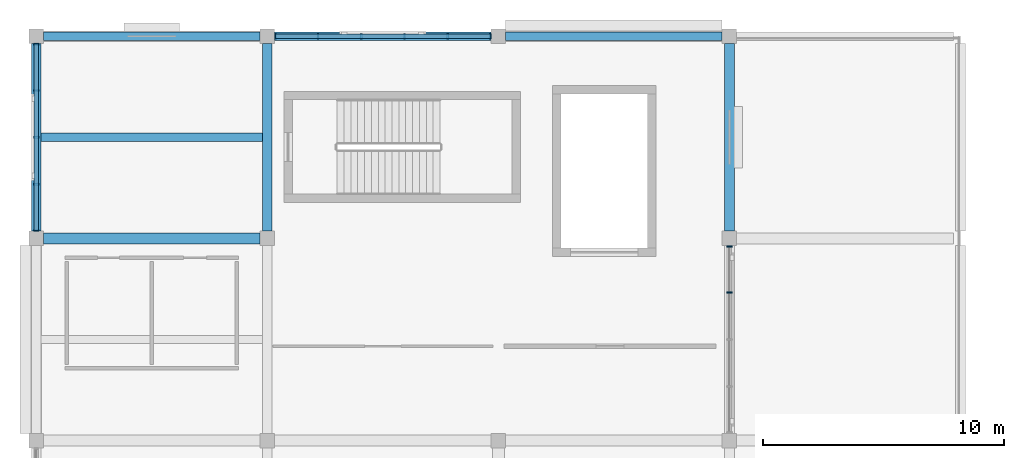
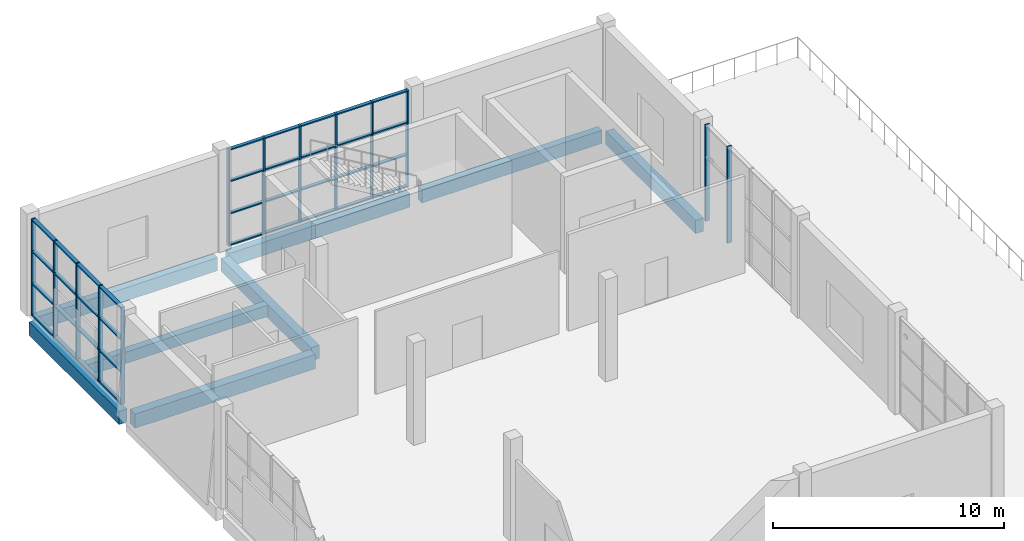
# One storey, part 18 of 72: 21 members, 8 beams, 3 elements without a shape of their own.
"""IFC4 building model written with IfcOpenShell, lengths in metres."""

from ifc_helpers import new_model, si_unit, direction, frame, origin, origin_2d, place, context, subcontext, project, spatial, rectangle, extrude, material, material_profile, profile_set, type_object, element, aggregate, save


model = new_model("IFC4")

# Units and contexts
model_context = context("Model", 3, precision=1e-05, world=origin(), true_north=direction((0.0, 1.0)))
body_context = subcontext(model_context, "Body", "Model", "MODEL_VIEW")
ifc_project = project(units=[si_unit("LENGTHUNIT", "METRE"), si_unit("AREAUNIT", "SQUARE_METRE"), si_unit("VOLUMEUNIT", "CUBIC_METRE"), si_unit("PLANEANGLEUNIT", "RADIAN"), si_unit("MASSUNIT", "GRAM", prefix="KILO")], contexts=[model_context])

# Site, building, storey
site_placement = place(None, origin())
site = spatial("IfcSite", under=ifc_project, at=site_placement, CompositionType="ELEMENT")
building_placement = place(site_placement, origin())
building = spatial("IfcBuilding", under=site, at=building_placement, Name="Shalvenor Court Art Gallery", CompositionType="ELEMENT")
storey_placement = place(building_placement, frame((0.0, 0.0, 11.39990234375)))
storey = spatial("IfcBuildingStorey", under=building, at=storey_placement, Name="L02", CompositionType="ELEMENT", Elevation=11.39990234375)

# Beams
ifc_material_1 = material(Name="Concrete C40/50", Category="concrete")
ifc_material_profile_1 = material_profile(ifc_material_1, rectangle(XDim=0.449951171875, YDim=0.75, at=origin_2d()), Name="RC 450x750")
ifc_profile_set_1 = profile_set([ifc_material_profile_1], Name="Concrete C40/50")
beam_type_1 = type_object("IfcBeamType", Name="B-04", PredefinedType="BEAM", material=ifc_profile_set_1)
beam_1_placement = place(storey_placement, frame((0.300048828125, 114.0, -0.69482421875), z_axis=(1.0, 0.0, 0.0), x_axis=(0.0, 1.0, 0.0)))
element("IfcBeam", 1, at=beam_1_placement, inside=storey, type_object=beam_type_1, Name="L02 Girder BM-L02-B-04-0893", PredefinedType="BEAM", context=body_context, shape_type="SweptSolid", body=[
    extrude(rectangle(XDim=0.449951171875, YDim=0.75, at=origin_2d()), origin(), (0.0, 0.0, 1.0), 9.0),
])
ifc_material_2 = material(Name="Concrete C40/50", Category="concrete")
ifc_material_profile_2 = material_profile(ifc_material_2, rectangle(XDim=0.39990234375, YDim=0.699951171875, at=origin_2d()), Name="RC 400x700")
ifc_profile_set_2 = profile_set([ifc_material_profile_2], Name="Concrete C40/50")
beam_type_2 = type_object("IfcBeamType", Name="B-05", PredefinedType="BEAM", material=ifc_profile_set_2)
for number, where, z_axis, x_axis, name in (
    (2, (0.0, 114.300048828125, -0.669921875), (0.0, 1.0, 0.0), (-1.0, 0.0, 0.0), "L02 Girder BM-L02-B-05-0694"),
    (3, (9.60009765625, 114.300048828125, -0.669921875), (0.0, 1.0, 0.0), (-1.0, 0.0, 0.0), "L02 Girder BM-L02-B-05-0701"),
    (4, (28.800048828125, 114.300048828125, -0.669921875), (0.0, 1.0, 0.0), (-1.0, 0.0, 0.0), "L02 Girder BM-L02-B-05-0714"),
):
    element("IfcBeam", number, at=place(storey_placement, frame(where, z_axis=z_axis, x_axis=x_axis)), inside=storey, type_object=beam_type_2, Name=name, PredefinedType="BEAM", context=body_context, shape_type="SweptSolid", body=[
        extrude(rectangle(XDim=0.39990234375, YDim=0.699951171875, at=origin_2d()), origin(), (0.0, 0.0, 1.0), 7.800048828125),
    ])

# Curtain wall, members
ifc_material_3 = material(Name="Anodised aluminium and low-iron glass curtain wall", Category="aluminium")
curtain_wall_type_1 = type_object("IfcCurtainWallType", Name="CW-5x3-90-51-221", PredefinedType="USERDEFINED", material=ifc_material_3)
curtain_wall_1_placement = place(storey_placement, origin())
curtain_wall_1 = element("IfcCurtainWall", 5, at=curtain_wall_1_placement, inside=storey, type_object=curtain_wall_type_1, Name="L02 V5 Curtain Wall CW-L02-181", ObjectType="CURTAIN WALL", PredefinedType="USERDEFINED")
ifc_material_4 = material(Name="Anodised aluminium mullion", Category="aluminium")
ifc_material_profile_3 = material_profile(ifc_material_4, rectangle(XDim=0.070068359375, YDim=0.199951171875, at=origin_2d()), Name="CWM-02")
ifc_profile_set_3 = profile_set([ifc_material_profile_3], Name="Anodised aluminium mullion")
member_type_1 = type_object("IfcMemberType", Name="CWM-02", PredefinedType="MULLION", material=ifc_profile_set_3)
member_1_placement = place(storey_placement, frame((9.93505859375, 122.39990234375, 0.0), z_axis=(0.0, 0.0, 1.0), x_axis=(1.0, 0.0, 0.0)))
member_1 = element("IfcMember", 6, at=member_1_placement, type_object=member_type_1, Name="CW-5x3-90-51-221 mullion 1", PredefinedType="MULLION", context=body_context, shape_type="SweptSolid", body=[
    extrude(rectangle(XDim=0.070068359375, YDim=0.199951171875, at=origin_2d()), origin(), (0.0, 0.0, 1.0), 5.10009765625),
])
member_2_placement = place(storey_placement, frame((11.699951171875, 122.39990234375, 0.0), z_axis=(0.0, 0.0, 1.0), x_axis=(1.0, 0.0, 0.0)))
member_2 = element("IfcMember", 7, at=member_2_placement, type_object=member_type_1, Name="CW-5x3-90-51-221 mullion 2", PredefinedType="MULLION", context=body_context, shape_type="SweptSolid", body=[
    extrude(rectangle(XDim=0.070068359375, YDim=0.199951171875, at=origin_2d()), origin(), (0.0, 0.0, 1.0), 5.10009765625),
])
member_3_placement = place(storey_placement, frame((13.5, 122.39990234375, 0.0), z_axis=(0.0, 0.0, 1.0), x_axis=(1.0, 0.0, 0.0)))
member_3 = element("IfcMember", 8, at=member_3_placement, type_object=member_type_1, Name="CW-5x3-90-51-221 mullion 3", PredefinedType="MULLION", context=body_context, shape_type="SweptSolid", body=[
    extrude(rectangle(XDim=0.070068359375, YDim=0.199951171875, at=origin_2d()), origin(), (0.0, 0.0, 1.0), 5.10009765625),
])
member_4_placement = place(storey_placement, frame((15.300048828125, 122.39990234375, 0.0), z_axis=(0.0, 0.0, 1.0), x_axis=(1.0, 0.0, 0.0)))
member_4 = element("IfcMember", 9, at=member_4_placement, type_object=member_type_1, Name="CW-5x3-90-51-221 mullion 4", PredefinedType="MULLION", context=body_context, shape_type="SweptSolid", body=[
    extrude(rectangle(XDim=0.070068359375, YDim=0.199951171875, at=origin_2d()), origin(), (0.0, 0.0, 1.0), 5.10009765625),
])
member_5_placement = place(storey_placement, frame((17.10009765625, 122.39990234375, 0.0), z_axis=(0.0, 0.0, 1.0), x_axis=(1.0, 0.0, 0.0)))
member_5 = element("IfcMember", 10, at=member_5_placement, type_object=member_type_1, Name="CW-5x3-90-51-221 mullion 5", PredefinedType="MULLION", context=body_context, shape_type="SweptSolid", body=[
    extrude(rectangle(XDim=0.070068359375, YDim=0.199951171875, at=origin_2d()), origin(), (0.0, 0.0, 1.0), 5.10009765625),
])
member_6_placement = place(storey_placement, frame((18.864990234375, 122.39990234375, 0.0), z_axis=(0.0, 0.0, 1.0), x_axis=(1.0, 0.0, 0.0)))
member_6 = element("IfcMember", 11, at=member_6_placement, type_object=member_type_1, Name="CW-5x3-90-51-221 mullion 6", PredefinedType="MULLION", context=body_context, shape_type="SweptSolid", body=[
    extrude(rectangle(XDim=0.070068359375, YDim=0.199951171875, at=origin_2d()), origin(), (0.0, 0.0, 1.0), 5.10009765625),
])

ifc_material_5 = material(Name="Anodised aluminium and low-iron glass curtain wall", Category="aluminium")
curtain_wall_type_2 = type_object("IfcCurtainWallType", Name="CW-4x3-78-51-241", PredefinedType="USERDEFINED", material=ifc_material_5)
curtain_wall_2_placement = place(storey_placement, origin())
curtain_wall_2 = element("IfcCurtainWall", 12, at=curtain_wall_2_placement, inside=storey, type_object=curtain_wall_type_2, Name="L02 V5 Curtain Wall CW-L02-185", ObjectType="CURTAIN WALL", PredefinedType="USERDEFINED")
member_7_placement = place(storey_placement, frame((0.0, 114.3349609375, 0.0), z_axis=(0.0, 0.0, 1.0), x_axis=(0.0, 1.0, 0.0)))
member_7 = element("IfcMember", 13, at=member_7_placement, type_object=member_type_1, Name="CW-4x3-78-51-241 mullion 1", PredefinedType="MULLION", context=body_context, shape_type="SweptSolid", body=[
    extrude(rectangle(XDim=0.070068359375, YDim=0.199951171875, at=origin_2d()), origin(), (0.0, 0.0, 1.0), 5.10009765625),
])
member_8_placement = place(storey_placement, frame((0.0, 116.25, 0.0), z_axis=(0.0, 0.0, 1.0), x_axis=(0.0, 1.0, 0.0)))
member_8 = element("IfcMember", 14, at=member_8_placement, type_object=member_type_1, Name="CW-4x3-78-51-241 mullion 2", PredefinedType="MULLION", context=body_context, shape_type="SweptSolid", body=[
    extrude(rectangle(XDim=0.070068359375, YDim=0.199951171875, at=origin_2d()), origin(), (0.0, 0.0, 1.0), 5.10009765625),
])
member_9_placement = place(storey_placement, frame((0.0, 118.199951171875, 0.0), z_axis=(0.0, 0.0, 1.0), x_axis=(0.0, 1.0, 0.0)))
member_9 = element("IfcMember", 15, at=member_9_placement, type_object=member_type_1, Name="CW-4x3-78-51-241 mullion 3", PredefinedType="MULLION", context=body_context, shape_type="SweptSolid", body=[
    extrude(rectangle(XDim=0.070068359375, YDim=0.199951171875, at=origin_2d()), origin(), (0.0, 0.0, 1.0), 5.10009765625),
])
member_10_placement = place(storey_placement, frame((0.0, 120.14990234375, 0.0), z_axis=(0.0, 0.0, 1.0), x_axis=(0.0, 1.0, 0.0)))
member_10 = element("IfcMember", 16, at=member_10_placement, type_object=member_type_1, Name="CW-4x3-78-51-241 mullion 4", PredefinedType="MULLION", context=body_context, shape_type="SweptSolid", body=[
    extrude(rectangle(XDim=0.070068359375, YDim=0.199951171875, at=origin_2d()), origin(), (0.0, 0.0, 1.0), 5.10009765625),
])
member_11_placement = place(storey_placement, frame((0.0, 122.06494140625, 0.0), z_axis=(0.0, 0.0, 1.0), x_axis=(0.0, 1.0, 0.0)))
member_11 = element("IfcMember", 17, at=member_11_placement, type_object=member_type_1, Name="CW-4x3-78-51-241 mullion 5", PredefinedType="MULLION", context=body_context, shape_type="SweptSolid", body=[
    extrude(rectangle(XDim=0.070068359375, YDim=0.199951171875, at=origin_2d()), origin(), (0.0, 0.0, 1.0), 5.10009765625),
])

ifc_material_6 = material(Name="Anodised aluminium and low-iron glass curtain wall", Category="aluminium")
curtain_wall_type_3 = type_object("IfcCurtainWallType", Name="CW-4x3-78-51-441", PredefinedType="USERDEFINED", material=ifc_material_6)
curtain_wall_3_placement = place(storey_placement, origin())
curtain_wall_3 = element("IfcCurtainWall", 18, at=curtain_wall_3_placement, inside=storey, type_object=curtain_wall_type_3, Name="L02 V5 Curtain Wall CW-L02-182", ObjectType="CURTAIN WALL", PredefinedType="USERDEFINED")
ifc_material_7 = material(Name="Anodised aluminium mullion", Category="aluminium")
ifc_material_profile_4 = material_profile(ifc_material_7, rectangle(XDim=0.074951171875, YDim=0.219970703125, at=origin_2d()), Name="CWM-04")
ifc_profile_set_4 = profile_set([ifc_material_profile_4], Name="Anodised aluminium mullion")
member_type_2 = type_object("IfcMemberType", Name="CWM-04", PredefinedType="MULLION", material=ifc_profile_set_4)
member_12_placement = place(storey_placement, frame((28.800048828125, 113.66259765625, 0.0), z_axis=(0.0, 0.0, 1.0), x_axis=(0.0, -1.0, 0.0)))
member_12 = element("IfcMember", 19, at=member_12_placement, type_object=member_type_2, Name="CW-4x3-78-51-441 mullion 1", PredefinedType="MULLION", context=body_context, shape_type="SweptSolid", body=[
    extrude(rectangle(XDim=0.074951171875, YDim=0.219970703125, at=origin_2d()), origin(), (0.0, 0.0, 1.0), 5.10009765625),
])
member_13_placement = place(storey_placement, frame((28.800048828125, 111.75, 0.0), z_axis=(0.0, 0.0, 1.0), x_axis=(0.0, -1.0, 0.0)))
member_13 = element("IfcMember", 20, at=member_13_placement, type_object=member_type_2, Name="CW-4x3-78-51-441 mullion 2", PredefinedType="MULLION", context=body_context, shape_type="SweptSolid", body=[
    extrude(rectangle(XDim=0.074951171875, YDim=0.219970703125, at=origin_2d()), origin(), (0.0, 0.0, 1.0), 5.10009765625),
])
aggregate(curtain_wall_3, [member_12, member_13])

# Member
ifc_material_8 = material(Name="Anodised aluminium transom", Category="aluminium")
ifc_material_profile_5 = material_profile(ifc_material_8, rectangle(XDim=0.169921875, YDim=0.06494140625, at=origin_2d()), Name="CWT-02")
ifc_profile_set_5 = profile_set([ifc_material_profile_5], Name="Anodised aluminium transom")
member_type_3 = type_object("IfcMemberType", Name="CWT-02", PredefinedType="USERDEFINED", material=ifc_profile_set_5)
member_14_placement = place(storey_placement, frame((9.93505859375, 122.39990234375, 0.03271484375), z_axis=(1.0, 0.0, 0.0), x_axis=(0.0, 1.0, 0.0)))
member_14 = element("IfcMember", 21, at=member_14_placement, type_object=member_type_3, Name="CW-5x3-90-51-221 transom 1", ObjectType="TRANSOM", PredefinedType="USERDEFINED", context=body_context, shape_type="SweptSolid", body=[
    extrude(rectangle(XDim=0.169921875, YDim=0.06494140625, at=origin_2d()), origin(), (0.0, 0.0, 1.0), 8.929931640625),
])

member_15_placement = place(storey_placement, frame((9.93505859375, 122.39990234375, 1.7001953125), z_axis=(1.0, 0.0, 0.0), x_axis=(0.0, 1.0, 0.0)))
member_15 = element("IfcMember", 22, at=member_15_placement, type_object=member_type_3, Name="CW-5x3-90-51-221 transom 2", ObjectType="TRANSOM", PredefinedType="USERDEFINED", context=body_context, shape_type="SweptSolid", body=[
    extrude(rectangle(XDim=0.169921875, YDim=0.06494140625, at=origin_2d()), origin(), (0.0, 0.0, 1.0), 8.929931640625),
])

member_16_placement = place(storey_placement, frame((9.93505859375, 122.39990234375, 3.400146484375), z_axis=(1.0, 0.0, 0.0), x_axis=(0.0, 1.0, 0.0)))
member_16 = element("IfcMember", 23, at=member_16_placement, type_object=member_type_3, Name="CW-5x3-90-51-221 transom 3", ObjectType="TRANSOM", PredefinedType="USERDEFINED", context=body_context, shape_type="SweptSolid", body=[
    extrude(rectangle(XDim=0.169921875, YDim=0.06494140625, at=origin_2d()), origin(), (0.0, 0.0, 1.0), 8.929931640625),
])

member_17_placement = place(storey_placement, frame((9.93505859375, 122.39990234375, 5.067626953125), z_axis=(1.0, 0.0, 0.0), x_axis=(0.0, 1.0, 0.0)))
member_17 = element("IfcMember", 24, at=member_17_placement, type_object=member_type_3, Name="CW-5x3-90-51-221 transom 4", ObjectType="TRANSOM", PredefinedType="USERDEFINED", context=body_context, shape_type="SweptSolid", body=[
    extrude(rectangle(XDim=0.169921875, YDim=0.06494140625, at=origin_2d()), origin(), (0.0, 0.0, 1.0), 8.929931640625),
])

aggregate(curtain_wall_1, [member_1, member_2, member_3, member_4, member_5, member_6, member_14, member_15, member_16, member_17])

ifc_material_9 = material(Name="Anodised aluminium transom", Category="aluminium")
ifc_material_profile_6 = material_profile(ifc_material_9, rectangle(XDim=0.18994140625, YDim=0.070068359375, at=origin_2d()), Name="CWT-04")
ifc_profile_set_6 = profile_set([ifc_material_profile_6], Name="Anodised aluminium transom")
member_type_4 = type_object("IfcMemberType", Name="CWT-04", PredefinedType="USERDEFINED", material=ifc_profile_set_6)
member_18_placement = place(storey_placement, frame((0.0, 114.3349609375, 0.03515625), z_axis=(0.0, 1.0, 0.0), x_axis=(-1.0, 0.0, 0.0)))
member_18 = element("IfcMember", 25, at=member_18_placement, type_object=member_type_4, Name="CW-4x3-78-51-241 transom 1", ObjectType="TRANSOM", PredefinedType="USERDEFINED", context=body_context, shape_type="SweptSolid", body=[
    extrude(rectangle(XDim=0.18994140625, YDim=0.070068359375, at=origin_2d()), origin(), (0.0, 0.0, 1.0), 7.72998046875),
])

member_19_placement = place(storey_placement, frame((0.0, 114.3349609375, 1.7001953125), z_axis=(0.0, 1.0, 0.0), x_axis=(-1.0, 0.0, 0.0)))
member_19 = element("IfcMember", 26, at=member_19_placement, type_object=member_type_4, Name="CW-4x3-78-51-241 transom 2", ObjectType="TRANSOM", PredefinedType="USERDEFINED", context=body_context, shape_type="SweptSolid", body=[
    extrude(rectangle(XDim=0.18994140625, YDim=0.070068359375, at=origin_2d()), origin(), (0.0, 0.0, 1.0), 7.72998046875),
])

member_20_placement = place(storey_placement, frame((0.0, 114.3349609375, 3.400146484375), z_axis=(0.0, 1.0, 0.0), x_axis=(-1.0, 0.0, 0.0)))
member_20 = element("IfcMember", 27, at=member_20_placement, type_object=member_type_4, Name="CW-4x3-78-51-241 transom 3", ObjectType="TRANSOM", PredefinedType="USERDEFINED", context=body_context, shape_type="SweptSolid", body=[
    extrude(rectangle(XDim=0.18994140625, YDim=0.070068359375, at=origin_2d()), origin(), (0.0, 0.0, 1.0), 7.72998046875),
])

member_21_placement = place(storey_placement, frame((0.0, 114.3349609375, 5.065185546875), z_axis=(0.0, 1.0, 0.0), x_axis=(-1.0, 0.0, 0.0)))
member_21 = element("IfcMember", 28, at=member_21_placement, type_object=member_type_4, Name="CW-4x3-78-51-241 transom 4", ObjectType="TRANSOM", PredefinedType="USERDEFINED", context=body_context, shape_type="SweptSolid", body=[
    extrude(rectangle(XDim=0.18994140625, YDim=0.070068359375, at=origin_2d()), origin(), (0.0, 0.0, 1.0), 7.72998046875),
])

aggregate(curtain_wall_2, [member_7, member_8, member_9, member_10, member_11, member_18, member_19, member_20, member_21])

# Beams
ifc_material_10 = material(Name="Concrete C40/50", Category="concrete")
ifc_material_profile_7 = material_profile(ifc_material_10, rectangle(XDim=0.35009765625, YDim=0.60009765625, at=origin_2d()), Name="RC 350x600")
ifc_profile_set_7 = profile_set([ifc_material_profile_7], Name="Concrete C40/50")
beam_type_3 = type_object("IfcBeamType", Name="J-01", PredefinedType="JOIST", material=ifc_profile_set_7)
beam_2_placement = place(storey_placement, frame((0.199951171875, 118.199951171875, -0.619873046875), z_axis=(1.0, 0.0, 0.0), x_axis=(0.0, 1.0, 0.0)))
element("IfcBeam", 29, at=beam_2_placement, inside=storey, type_object=beam_type_3, Name="L02 Secondary Beam JST-L02-J-01-0917", PredefinedType="JOIST", context=body_context, shape_type="SweptSolid", body=[
    extrude(rectangle(XDim=0.35009765625, YDim=0.60009765625, at=origin_2d()), origin(), (0.0, 0.0, 1.0), 9.199951171875),
])
ifc_material_11 = material(Name="Concrete C40/50", Category="concrete")
ifc_material_profile_8 = material_profile(ifc_material_11, rectangle(XDim=0.35009765625, YDim=0.699951171875, at=origin_2d()), Name="RC 350x700")
ifc_profile_set_8 = profile_set([ifc_material_profile_8], Name="Concrete C40/50")
beam_type_4 = type_object("IfcBeamType", Name="SP-01", PredefinedType="SPANDREL", material=ifc_profile_set_8)
for number, where, z_axis, x_axis, name in (
    (30, (0.300048828125, 122.39990234375, -0.669921875), (1.0, 0.0, 0.0), (0.0, 1.0, 0.0), "L02 Spandrel Girder BM-L02-SP-01-0902"),
    (31, (9.89990234375, 122.39990234375, -0.669921875), (1.0, 0.0, 0.0), (0.0, 1.0, 0.0), "L02 Spandrel Girder BM-L02-SP-01-0903"),
    (32, (19.5, 122.39990234375, -0.669921875), (1.0, 0.0, 0.0), (0.0, 1.0, 0.0), "L02 Spandrel Girder BM-L02-SP-01-0904"),
):
    element("IfcBeam", number, at=place(storey_placement, frame(where, z_axis=z_axis, x_axis=x_axis)), inside=storey, type_object=beam_type_4, Name=name, PredefinedType="SPANDREL", context=body_context, shape_type="SweptSolid", body=[
        extrude(rectangle(XDim=0.35009765625, YDim=0.699951171875, at=origin_2d()), origin(), (0.0, 0.0, 1.0), 9.0),
    ])

save(model, "model.ifc")
